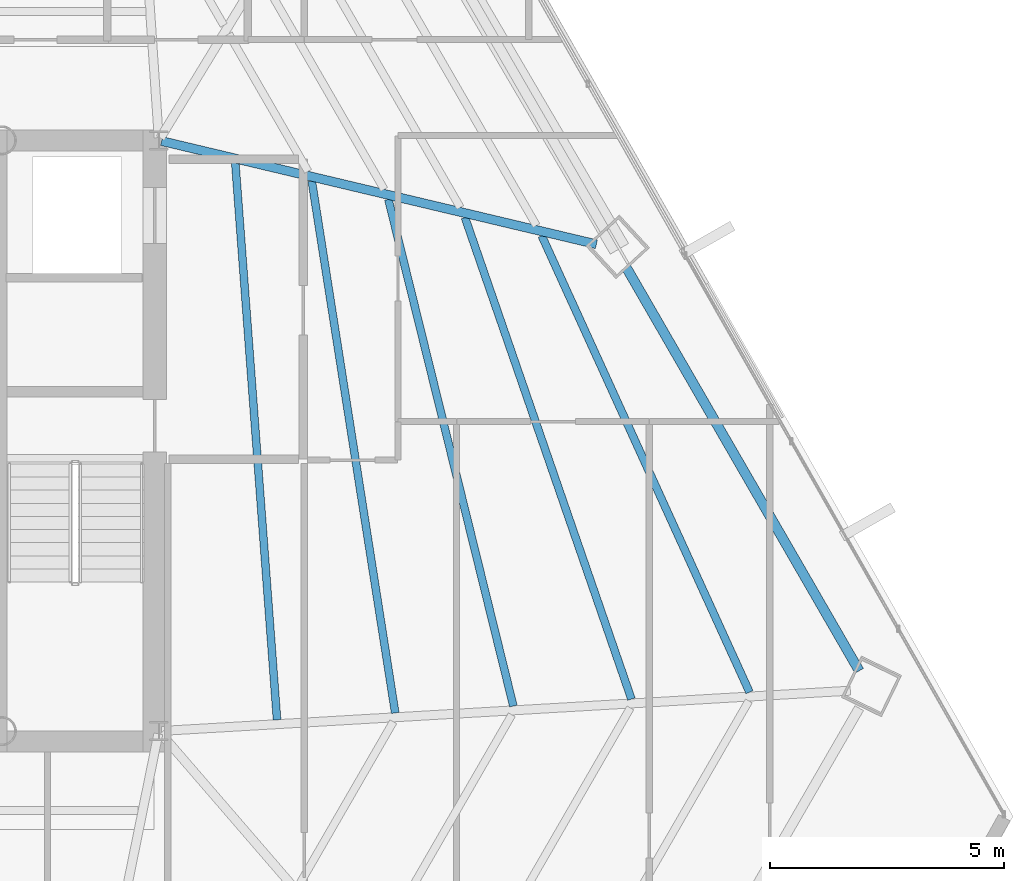
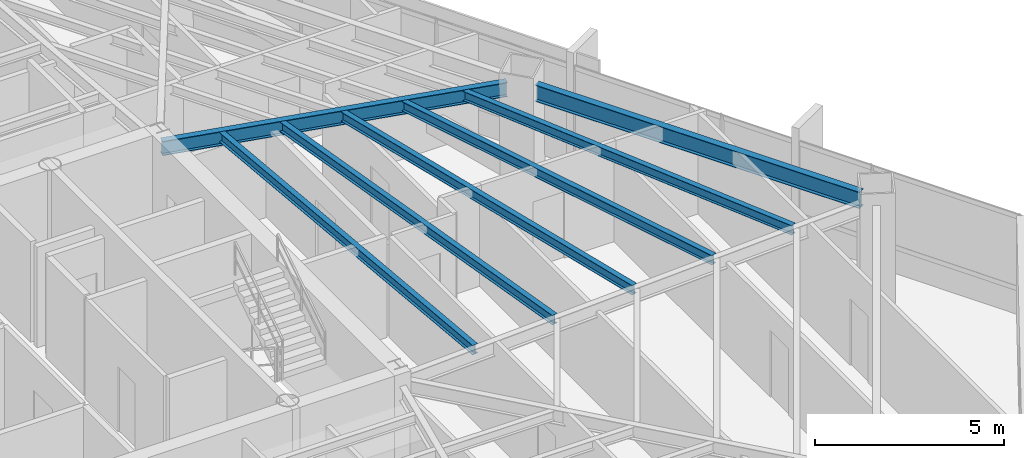
# One storey, part 22 of 40: 7 beams.
"""IFC4 building model written with IfcOpenShell, lengths in metres."""

from ifc_helpers import new_model, si_unit, direction, frame, origin, origin_2d, place, context, subcontext, project, spatial, i_section, extrude, source, transform, mapped, material, material_profile, profile_set, type_object, type_shapes, element, save


model = new_model("IFC4")

# Units and contexts
model_context = context("Model", 3, precision=1e-05, world=origin(), true_north=direction((0.0, 1.0)))
body_context = subcontext(model_context, "Body", "Model", "MODEL_VIEW")
ifc_project = project(units=[si_unit("LENGTHUNIT", "METRE"), si_unit("AREAUNIT", "SQUARE_METRE"), si_unit("VOLUMEUNIT", "CUBIC_METRE"), si_unit("PLANEANGLEUNIT", "RADIAN"), si_unit("MASSUNIT", "GRAM", prefix="KILO")], contexts=[model_context])

# Site, building, storey
site_placement = place(None, origin())
site = spatial("IfcSite", under=ifc_project, at=site_placement, CompositionType="ELEMENT")
building_placement = place(site_placement, origin())
building = spatial("IfcBuilding", under=site, at=building_placement, Name="Caelisora Broadcast Tower", CompositionType="ELEMENT")
storey_placement = place(building_placement, frame((0.0, 0.0, 146.39990234375)))
storey = spatial("IfcBuildingStorey", under=building, at=storey_placement, Name="L38", CompositionType="ELEMENT", Elevation=146.39990234375)

# Beams
ifc_material = material(Name="Steel Grade 350 (AS/NZS 3679.1)", Category="steel")
ifc_material_profile_1 = material_profile(ifc_material, i_section(OverallWidth=0.166015625, OverallDepth=0.30712890625, WebThickness=0.006591796875, FlangeThickness=0.01171875, at=origin_2d()), Name="Steel Grade 350 (AS/NZS 3679.1)")
ifc_profile_set_1 = profile_set([ifc_material_profile_1], Name="Steel Grade 350 (AS/NZS 3679.1)")
beam_type_1 = type_object("IfcBeamType", Name="SB03", PredefinedType="JOIST", material=ifc_profile_set_1)
shared_shape_1 = source(origin(), body_context, "Body", "SweptSolid", [
    extrude(i_section(OverallWidth=0.166015625, OverallDepth=0.30712890625, WebThickness=0.006591796875, FlangeThickness=0.01171875, at=origin_2d()), origin(), (0.0, 0.0, 1.0), 10.697265625),
])
beam_1_placement = place(storey_placement, frame((58.098876953125, 18.229736328125, 3.096435546875), z_axis=(-0.414372028289, 0.91010758824, 0.0), x_axis=(-0.91010758824, -0.414372028289, 0.0)))
element("IfcBeam", 1, at=beam_1_placement, inside=storey, type_object=beam_type_1, Name="L38 beam SB03", PredefinedType="JOIST", context=body_context, shape_type="MappedRepresentation", body=[
    mapped(shared_shape_1, transform((0.0, 0.0, 0.0), scale=1.0)),
])
ifc_material_profile_2 = material_profile(ifc_material, i_section(OverallWidth=0.208984375, OverallDepth=0.532958984375, WebThickness=0.01025390625, FlangeThickness=0.015625, at=origin_2d()), Name="Steel Grade 350 (AS/NZS 3679.1)")
ifc_profile_set_2 = profile_set([ifc_material_profile_2], Name="Steel Grade 350 (AS/NZS 3679.1)")
beam_type_2 = type_object("IfcBeamType", Name="PG05", PredefinedType="BEAM", material=ifc_profile_set_2)
shared_shape_2 = source(origin(), body_context, "Body", "SweptSolid", [
    extrude(i_section(OverallWidth=0.208984375, OverallDepth=0.532958984375, WebThickness=0.01025390625, FlangeThickness=0.015625, at=origin_2d()), origin(), (0.0, 0.0, 1.0), 9.934326171875),
])
type_shapes(beam_type_2, [shared_shape_2])
beam_2_placement = place(storey_placement, frame((60.43798828125, 18.685546875, 2.983642578125), z_axis=(-0.500013894896, 0.866017381414, 0.0), x_axis=(-0.866017381414, -0.500013894896, 0.0)))
element("IfcBeam", 2, at=beam_2_placement, inside=storey, type_object=beam_type_2, Name="L38 beam PG05", PredefinedType="BEAM", context=body_context, shape_type="MappedRepresentation", body=[
    mapped(shared_shape_2, transform((0.0, 0.0, 0.0), scale=1.0)),
])
ifc_material_profile_3 = material_profile(ifc_material, i_section(OverallWidth=0.19091796875, OverallDepth=0.46044921875, WebThickness=0.010009765625, FlangeThickness=0.01611328125, at=origin_2d()), Name="Steel Grade 350 (AS/NZS 3679.1)")
ifc_profile_set_3 = profile_set([ifc_material_profile_3], Name="Steel Grade 350 (AS/NZS 3679.1)")
beam_type_3 = type_object("IfcBeamType", Name="PG06", PredefinedType="BEAM", material=ifc_profile_set_3)
shared_shape_3 = source(origin(), body_context, "Body", "SweptSolid", [
    extrude(i_section(OverallWidth=0.19091796875, OverallDepth=0.46044921875, WebThickness=0.010009765625, FlangeThickness=0.01611328125, at=origin_2d()), origin(), (0.0, 0.0, 1.0), 9.53173828125),
])
type_shapes(beam_type_3, [shared_shape_3])
beam_3_placement = place(storey_placement, frame((45.558349609375, 29.986083984375, 3.02001953125), z_axis=(0.97295195223, -0.231007572715, 0.0), x_axis=(0.231007572715, 0.97295195223, 0.0)))
element("IfcBeam", 3, at=beam_3_placement, inside=storey, type_object=beam_type_3, Name="L38 beam PG06", PredefinedType="BEAM", context=body_context, shape_type="MappedRepresentation", body=[
    mapped(shared_shape_3, transform((0.0, 0.0, 0.0), scale=1.0)),
])
shared_shape_4 = source(origin(), body_context, "Body", "SweptSolid", [
    extrude(i_section(OverallWidth=0.166015625, OverallDepth=0.30712890625, WebThickness=0.006591796875, FlangeThickness=0.01171875, at=origin_2d()), origin(), (0.0, 0.0, 1.0), 11.910888671875),
])
beam_4_placement = place(storey_placement, frame((48.02099609375, 17.64013671875, 3.096435546875), z_axis=(-0.074754278262, 0.997201984495, 0.0), x_axis=(-0.997201984495, -0.074754278262, 0.0)))
element("IfcBeam", 4, at=beam_4_placement, inside=storey, type_object=beam_type_1, Name="L38 beam SB03", PredefinedType="JOIST", context=body_context, shape_type="MappedRepresentation", body=[
    mapped(shared_shape_4, transform((0.0, 0.0, 0.0), scale=1.0)),
])
shared_shape_5 = source(origin(), body_context, "Body", "SweptSolid", [
    extrude(i_section(OverallWidth=0.166015625, OverallDepth=0.30712890625, WebThickness=0.006591796875, FlangeThickness=0.01171875, at=origin_2d()), origin(), (0.0, 0.0, 1.0), 11.481201171875),
])
beam_5_placement = place(storey_placement, frame((50.54150390625, 17.78759765625, 3.096435546875), z_axis=(-0.154953526084, 0.987921760442, 0.0), x_axis=(-0.987921760442, -0.154953526084, 0.0)))
element("IfcBeam", 5, at=beam_5_placement, inside=storey, type_object=beam_type_1, Name="L38 beam SB03", PredefinedType="JOIST", context=body_context, shape_type="MappedRepresentation", body=[
    mapped(shared_shape_5, transform((0.0, 0.0, 0.0), scale=1.0)),
])
shared_shape_6 = source(origin(), body_context, "Body", "SweptSolid", [
    extrude(i_section(OverallWidth=0.166015625, OverallDepth=0.30712890625, WebThickness=0.006591796875, FlangeThickness=0.01171875, at=origin_2d()), origin(), (0.0, 0.0, 1.0), 11.13134765625),
])
beam_6_placement = place(storey_placement, frame((53.0615234375, 17.934814453125, 3.096435546875), z_axis=(-0.239505148914, 0.970895094046, 0.0), x_axis=(-0.970895094046, -0.239505148914, 0.0)))
element("IfcBeam", 6, at=beam_6_placement, inside=storey, type_object=beam_type_1, Name="L38 beam SB03", PredefinedType="JOIST", context=body_context, shape_type="MappedRepresentation", body=[
    mapped(shared_shape_6, transform((0.0, 0.0, 0.0), scale=1.0)),
])
shared_shape_7 = source(origin(), body_context, "Body", "SweptSolid", [
    extrude(i_section(OverallWidth=0.166015625, OverallDepth=0.30712890625, WebThickness=0.006591796875, FlangeThickness=0.01171875, at=origin_2d()), origin(), (0.0, 0.0, 1.0), 10.8681640625),
])
type_shapes(beam_type_1, [shared_shape_1, shared_shape_4, shared_shape_5, shared_shape_6, shared_shape_7])
beam_7_placement = place(storey_placement, frame((55.58056640625, 18.082275390625, 3.096435546875), z_axis=(-0.32671473164, 0.945122999471, 0.0), x_axis=(-0.945122999471, -0.32671473164, 0.0)))
element("IfcBeam", 7, at=beam_7_placement, inside=storey, type_object=beam_type_1, Name="L38 beam SB03", PredefinedType="JOIST", context=body_context, shape_type="MappedRepresentation", body=[
    mapped(shared_shape_7, transform((0.0, 0.0, 0.0), scale=1.0)),
])

save(model, "model.ifc")
